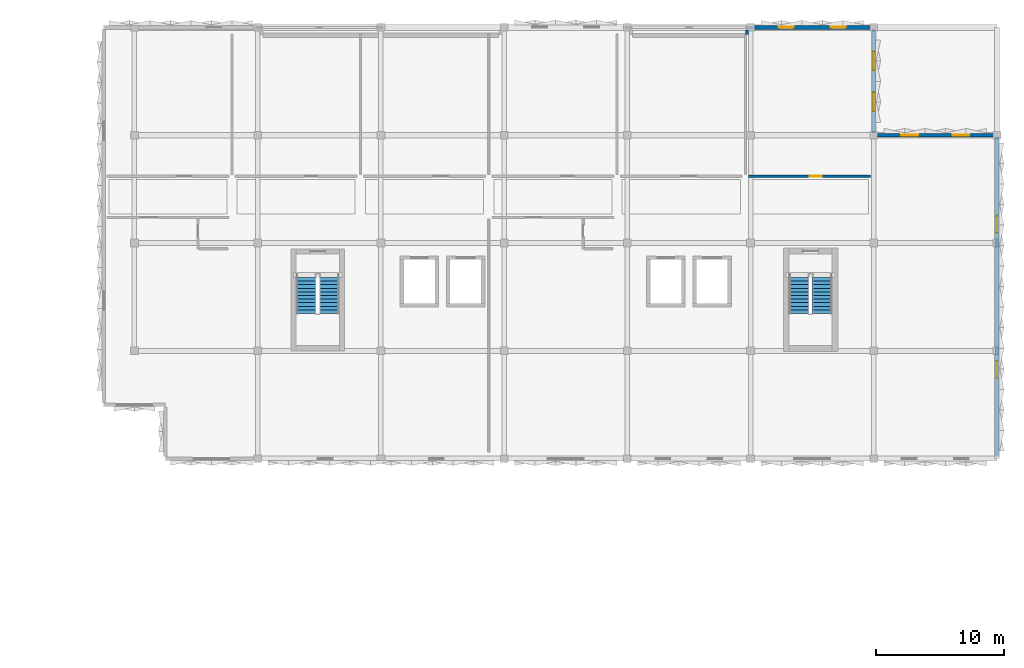
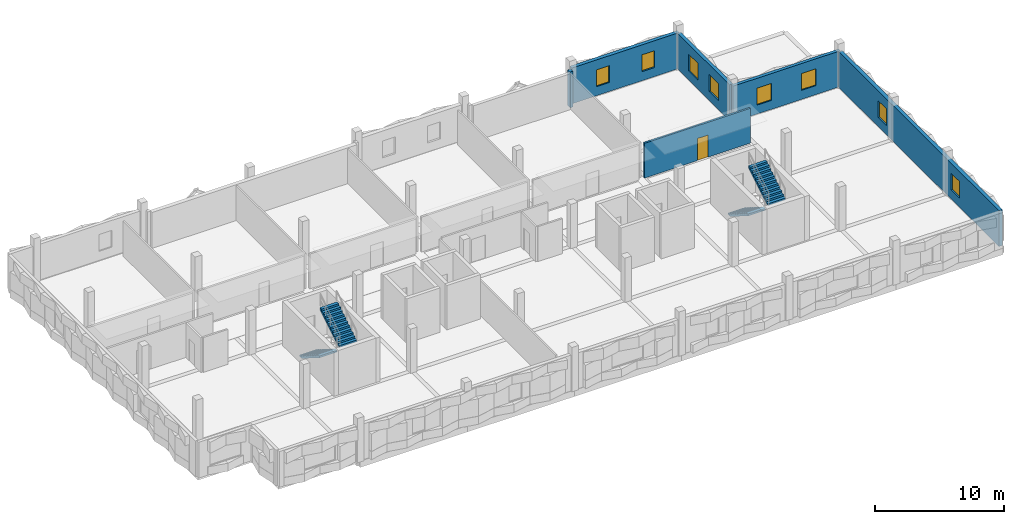
# One storey, part 11 of 18: 8 windows, 6 walls, 4 stair flights, 1 door, 9 openings, 2 elements without a shape of their own.
"""IFC4 building model written with IfcOpenShell, lengths in metres."""

from ifc_helpers import new_model, si_unit, direction, frame, frame_2d, origin, place, context, subcontext, project, spatial, polyline, rectangle, outline, extrude, material, layer, layer_set, type_object, element, fill, aggregate, save


model = new_model("IFC4")

# Units and contexts
model_context = context("Model", 3, precision=1e-05, world=origin(), true_north=direction((0.0, 1.0)))
body_context = subcontext(model_context, "Body", "Model", "MODEL_VIEW")
ifc_project = project(units=[si_unit("LENGTHUNIT", "METRE"), si_unit("AREAUNIT", "SQUARE_METRE"), si_unit("VOLUMEUNIT", "CUBIC_METRE"), si_unit("PLANEANGLEUNIT", "RADIAN"), si_unit("MASSUNIT", "GRAM", prefix="KILO")], contexts=[model_context])

# Site, building, storey
site_placement = place(None, origin())
site = spatial("IfcSite", under=ifc_project, at=site_placement, CompositionType="ELEMENT")
building_placement = place(site_placement, origin())
building = spatial("IfcBuilding", under=site, at=building_placement, Name="Oolite Switchyard Hospital", CompositionType="ELEMENT")
storey_placement = place(building_placement, frame((0.0, 0.0, 26.199951171875)))
storey = spatial("IfcBuildingStorey", under=building, at=storey_placement, Name="L06", CompositionType="ELEMENT", Elevation=26.199951171875)

# Wall
ifc_material_1 = material(Name="Precast oolitic limestone architectural concrete C40/50", Category="masonry")
ifc_layer_1 = layer(ifc_material_1, 0.260009765625)
ifc_layer_set_1 = layer_set([ifc_layer_1], Name="WAL-EXT-260")
wall_type_1 = type_object("IfcWallType", Name="WAL-EXT-260", PredefinedType="SOLIDWALL", material=ifc_layer_set_1)
wall_1_placement = place(storey_placement, frame((191.719970703125, 134.199951171875, 0.0), z_axis=(0.0, 0.0, 1.0), x_axis=(0.0, -1.0, 0.0)))
element("IfcWall", 1, at=wall_1_placement, inside=storey, type_object=wall_type_1, Name="L06 Brace Alcove Cheek Wall 366", PredefinedType="SOLIDWALL", context=body_context, shape_type="SweptSolid", body=[
    extrude(rectangle(XDim=0.35986328125, YDim=0.260009765625, at=frame_2d((0.179931640625, 0.0))), origin(), (0.0, 0.0, 1.0), 3.39013671875),
])

# Wall, openings, windows
ifc_layer_2 = layer(ifc_material_1, 0.280029296875)
ifc_layer_set_2 = layer_set([ifc_layer_2], Name="WAL-EXT-280")
wall_type_2 = type_object("IfcWallType", Name="WAL-EXT-280", PredefinedType="SOLIDWALL", material=ifc_layer_set_2)
wall_2_placement = place(storey_placement, frame((201.60009765625, 126.0, 0.0), z_axis=(0.0, 0.0, 1.0), x_axis=(1.0, 0.0, 0.0)))
wall_2 = element("IfcWall", 2, at=wall_2_placement, inside=storey, type_object=wall_type_2, Name="L06 Exterior Spandrel Wall 359", PredefinedType="SOLIDWALL", context=body_context, shape_type="SweptSolid", body=[
    extrude(rectangle(XDim=9.599853515625, YDim=0.280029296875, at=frame_2d((4.7998046875, 0.0))), origin(), (0.0, 0.0, 1.0), 3.39013671875),
])
opening_1_placement = place(wall_2_placement, frame((2.157958984375, 0.0, 0.85009765625)))
opening_1 = element("IfcOpeningElement", 3, at=opening_1_placement, cuts=wall_2, Name="Opening WN-0233", PredefinedType="OPENING", context=body_context, shape_type="SweptSolid", body=[
    extrude(rectangle(XDim=1.300048828125, YDim=1.60009765625, at=frame_2d((0.64990234375, 0.800048828125))), frame((0.0, 0.14990234375, 0.0), z_axis=(0.0, -1.0, 0.0), x_axis=(1.0, 0.0, 0.0)), (0.0, 0.0, 1.0), 0.300048828125),
])
opening_2_placement = place(wall_2_placement, frame((6.14208984375, 0.0, 0.85009765625)))
opening_2 = element("IfcOpeningElement", 4, at=opening_2_placement, cuts=wall_2, Name="Opening WN-0234", PredefinedType="OPENING", context=body_context, shape_type="SweptSolid", body=[
    extrude(rectangle(XDim=1.300048828125, YDim=1.60009765625, at=frame_2d((0.64990234375, 0.800048828125))), frame((0.0, 0.14990234375, 0.0), z_axis=(0.0, -1.0, 0.0), x_axis=(1.0, 0.0, 0.0)), (0.0, 0.0, 1.0), 0.300048828125),
])
ifc_material_2 = material(Name="Thermally broken aluminum frame with laminated impact glazing", Category="aluminium")
window_type_1 = type_object("IfcWindowType", Name="WIN-IMP-130X160", PartitioningType="SINGLE_PANEL", PredefinedType="WINDOW", material=ifc_material_2)
window_1_placement = place(opening_1_placement, origin())
window_1 = element("IfcWindow", 5, at=window_1_placement, inside=storey, type_object=window_type_1, Name="L06 Hurricane Impact Window WN-0233", OverallHeight=1.60009765625, OverallWidth=1.300048828125, PartitioningType="SINGLE_PANEL", PredefinedType="WINDOW", context=body_context, shape_type="SweptSolid", body=[
    extrude(rectangle(XDim=1.300048828125, YDim=1.60009765625, at=frame_2d((0.64990234375, 0.800048828125))), frame((0.0, 0.030029296875, 0.0), z_axis=(0.0, -1.0, 0.0), x_axis=(1.0, 0.0, 0.0)), (0.0, 0.0, 1.0), 0.06005859375),
])
fill(opening_1, window_1)
window_2_placement = place(opening_2_placement, origin())
window_2 = element("IfcWindow", 6, at=window_2_placement, inside=storey, type_object=window_type_1, Name="L06 Hurricane Impact Window WN-0234", OverallHeight=1.60009765625, OverallWidth=1.300048828125, PartitioningType="SINGLE_PANEL", PredefinedType="WINDOW", context=body_context, shape_type="SweptSolid", body=[
    extrude(rectangle(XDim=1.300048828125, YDim=1.60009765625, at=frame_2d((0.64990234375, 0.800048828125))), frame((0.0, 0.030029296875, 0.0), z_axis=(0.0, -1.0, 0.0), x_axis=(1.0, 0.0, 0.0)), (0.0, 0.0, 1.0), 0.06005859375),
])
fill(opening_2, window_2)

ifc_layer_3 = layer(ifc_material_1, 0.300048828125)
ifc_layer_set_3 = layer_set([ifc_layer_3], Name="WAL-EXT-300")
wall_type_3 = type_object("IfcWallType", Name="WAL-EXT-300", PredefinedType="SOLIDWALL", material=ifc_layer_set_3)
wall_3_placement = place(storey_placement, frame((201.60009765625, 134.239990234375, 0.0), z_axis=(0.0, 0.0, 1.0), x_axis=(0.0, -1.0, 0.0)))
wall_3 = element("IfcWall", 7, at=wall_3_placement, inside=storey, type_object=wall_type_3, Name="L06 Exterior Spandrel Wall 381", PredefinedType="SOLIDWALL", context=body_context, shape_type="SweptSolid", body=[
    extrude(rectangle(XDim=8.080078125, YDim=0.300048828125, at=frame_2d((4.0400390625, 0.0))), origin(), (0.0, 0.0, 1.0), 3.39013671875),
])
opening_3_placement = place(wall_3_placement, frame((1.72412109375, 0.0, 0.85009765625)))
opening_3 = element("IfcOpeningElement", 8, at=opening_3_placement, cuts=wall_3, Name="Opening WN-0244", PredefinedType="OPENING", context=body_context, shape_type="SweptSolid", body=[
    extrude(rectangle(XDim=1.449951171875, YDim=1.60009765625, at=frame_2d((0.72509765625, 0.800048828125))), frame((0.0, 0.16015625, 0.0), z_axis=(0.0, -1.0, 0.0), x_axis=(1.0, 0.0, 0.0)), (0.0, 0.0, 1.0), 0.320068359375),
])
opening_4_placement = place(wall_3_placement, frame((4.906005859375, 0.0, 0.85009765625)))
opening_4 = element("IfcOpeningElement", 9, at=opening_4_placement, cuts=wall_3, Name="Opening WN-0245", PredefinedType="OPENING", context=body_context, shape_type="SweptSolid", body=[
    extrude(rectangle(XDim=1.449951171875, YDim=1.60009765625, at=frame_2d((0.72509765625, 0.800048828125))), frame((0.0, 0.16015625, 0.0), z_axis=(0.0, -1.0, 0.0), x_axis=(1.0, 0.0, 0.0)), (0.0, 0.0, 1.0), 0.320068359375),
])
window_type_2 = type_object("IfcWindowType", Name="WIN-IMP-145X160", PartitioningType="SINGLE_PANEL", PredefinedType="WINDOW", material=ifc_material_2)
window_3_placement = place(opening_3_placement, origin())
window_3 = element("IfcWindow", 10, at=window_3_placement, inside=storey, type_object=window_type_2, Name="L06 Hurricane Impact Window WN-0244", OverallHeight=1.60009765625, OverallWidth=1.449951171875, PartitioningType="SINGLE_PANEL", PredefinedType="WINDOW", context=body_context, shape_type="SweptSolid", body=[
    extrude(rectangle(XDim=1.449951171875, YDim=1.60009765625, at=frame_2d((0.72509765625, 0.800048828125))), frame((0.0, 0.030029296875, 0.0), z_axis=(0.0, -1.0, 0.0), x_axis=(1.0, 0.0, 0.0)), (0.0, 0.0, 1.0), 0.06005859375),
])
fill(opening_3, window_3)
window_4_placement = place(opening_4_placement, origin())
window_4 = element("IfcWindow", 11, at=window_4_placement, inside=storey, type_object=window_type_2, Name="L06 Hurricane Impact Window WN-0245", OverallHeight=1.60009765625, OverallWidth=1.449951171875, PartitioningType="SINGLE_PANEL", PredefinedType="WINDOW", context=body_context, shape_type="SweptSolid", body=[
    extrude(rectangle(XDim=1.449951171875, YDim=1.60009765625, at=frame_2d((0.72509765625, 0.800048828125))), frame((0.0, 0.030029296875, 0.0), z_axis=(0.0, -1.0, 0.0), x_axis=(1.0, 0.0, 0.0)), (0.0, 0.0, 1.0), 0.06005859375),
])
fill(opening_4, window_4)

ifc_layer_4 = layer(ifc_material_1, 0.320068359375)
ifc_layer_set_4 = layer_set([ifc_layer_4], Name="WAL-EXT-320")
wall_type_4 = type_object("IfcWallType", Name="WAL-EXT-320", PredefinedType="SOLIDWALL", material=ifc_layer_set_4)
wall_4_placement = place(storey_placement, frame((192.0, 134.39990234375, 0.0), z_axis=(0.0, 0.0, 1.0), x_axis=(1.0, 0.0, 0.0)))
wall_4 = element("IfcWall", 12, at=wall_4_placement, inside=storey, type_object=wall_type_4, Name="L06 Exterior Spandrel Wall 368", PredefinedType="SOLIDWALL", context=body_context, shape_type="SweptSolid", body=[
    extrude(rectangle(XDim=9.60009765625, YDim=0.320068359375, at=frame_2d((4.800048828125, 0.0))), origin(), (0.0, 0.0, 1.0), 3.39013671875),
])
opening_5_placement = place(wall_4_placement, frame((2.197021484375, 0.0, 0.85009765625)))
opening_5 = element("IfcOpeningElement", 13, at=opening_5_placement, cuts=wall_4, Name="Opening WN-0238", PredefinedType="OPENING", context=body_context, shape_type="SweptSolid", body=[
    extrude(rectangle(XDim=1.14990234375, YDim=1.60009765625, at=frame_2d((0.574951171875, 0.800048828125))), frame((0.0, 0.169921875, 0.0), z_axis=(0.0, -1.0, 0.0), x_axis=(1.0, 0.0, 0.0)), (0.0, 0.0, 1.0), 0.340087890625),
])
opening_6_placement = place(wall_4_placement, frame((6.2529296875, 0.0, 0.85009765625)))
opening_6 = element("IfcOpeningElement", 14, at=opening_6_placement, cuts=wall_4, Name="Opening WN-0239", PredefinedType="OPENING", context=body_context, shape_type="SweptSolid", body=[
    extrude(rectangle(XDim=1.14990234375, YDim=1.60009765625, at=frame_2d((0.574951171875, 0.800048828125))), frame((0.0, 0.169921875, 0.0), z_axis=(0.0, -1.0, 0.0), x_axis=(1.0, 0.0, 0.0)), (0.0, 0.0, 1.0), 0.340087890625),
])
window_type_3 = type_object("IfcWindowType", Name="WIN-IMP-115X160", PartitioningType="SINGLE_PANEL", PredefinedType="WINDOW", material=ifc_material_2)
window_5_placement = place(opening_5_placement, origin())
window_5 = element("IfcWindow", 15, at=window_5_placement, inside=storey, type_object=window_type_3, Name="L06 Hurricane Impact Window WN-0238", OverallHeight=1.60009765625, OverallWidth=1.14990234375, PartitioningType="SINGLE_PANEL", PredefinedType="WINDOW", context=body_context, shape_type="SweptSolid", body=[
    extrude(rectangle(XDim=1.14990234375, YDim=1.60009765625, at=frame_2d((0.574951171875, 0.800048828125))), frame((0.0, 0.030029296875, 0.0), z_axis=(0.0, -1.0, 0.0), x_axis=(1.0, 0.0, 0.0)), (0.0, 0.0, 1.0), 0.06005859375),
])
fill(opening_5, window_5)
window_6_placement = place(opening_6_placement, origin())
window_6 = element("IfcWindow", 16, at=window_6_placement, inside=storey, type_object=window_type_3, Name="L06 Hurricane Impact Window WN-0239", OverallHeight=1.60009765625, OverallWidth=1.14990234375, PartitioningType="SINGLE_PANEL", PredefinedType="WINDOW", context=body_context, shape_type="SweptSolid", body=[
    extrude(rectangle(XDim=1.14990234375, YDim=1.60009765625, at=frame_2d((0.574951171875, 0.800048828125))), frame((0.0, 0.030029296875, 0.0), z_axis=(0.0, -1.0, 0.0), x_axis=(1.0, 0.0, 0.0)), (0.0, 0.0, 1.0), 0.06005859375),
])
fill(opening_6, window_6)

wall_5_placement = place(storey_placement, frame((211.199951171875, 125.840087890625, 0.0), z_axis=(0.0, 0.0, 1.0), x_axis=(0.0, -1.0, 0.0)))
wall_5 = element("IfcWall", 17, at=wall_5_placement, inside=storey, type_object=wall_type_4, Name="L06 Exterior Spandrel Wall 382", PredefinedType="SOLIDWALL", context=body_context, shape_type="SweptSolid", body=[
    extrude(rectangle(XDim=24.880126953125, YDim=0.320068359375, at=frame_2d((12.43994140625, 0.0))), origin(), (0.0, 0.0, 1.0), 3.39013671875),
])
opening_7_placement = place(wall_5_placement, frame((6.131103515625, 0.0, 0.85009765625)))
opening_7 = element("IfcOpeningElement", 18, at=opening_7_placement, cuts=wall_5, Name="Opening WN-0246", PredefinedType="OPENING", context=body_context, shape_type="SweptSolid", body=[
    extrude(rectangle(XDim=1.300048828125, YDim=1.60009765625, at=frame_2d((0.64990234375, 0.800048828125))), frame((0.0, 0.169921875, 0.0), z_axis=(0.0, -1.0, 0.0), x_axis=(1.0, 0.0, 0.0)), (0.0, 0.0, 1.0), 0.340087890625),
])
opening_8_placement = place(wall_5_placement, frame((17.448974609375, 0.0, 0.85009765625)))
opening_8 = element("IfcOpeningElement", 19, at=opening_8_placement, cuts=wall_5, Name="Opening WN-0247", PredefinedType="OPENING", context=body_context, shape_type="SweptSolid", body=[
    extrude(rectangle(XDim=1.300048828125, YDim=1.60009765625, at=frame_2d((0.64990234375, 0.800048828125))), frame((0.0, 0.169921875, 0.0), z_axis=(0.0, -1.0, 0.0), x_axis=(1.0, 0.0, 0.0)), (0.0, 0.0, 1.0), 0.340087890625),
])
window_7_placement = place(opening_7_placement, origin())
window_7 = element("IfcWindow", 20, at=window_7_placement, inside=storey, type_object=window_type_1, Name="L06 Hurricane Impact Window WN-0246", OverallHeight=1.60009765625, OverallWidth=1.300048828125, PartitioningType="SINGLE_PANEL", PredefinedType="WINDOW", context=body_context, shape_type="SweptSolid", body=[
    extrude(rectangle(XDim=1.300048828125, YDim=1.60009765625, at=frame_2d((0.64990234375, 0.800048828125))), frame((0.0, 0.030029296875, 0.0), z_axis=(0.0, -1.0, 0.0), x_axis=(1.0, 0.0, 0.0)), (0.0, 0.0, 1.0), 0.06005859375),
])
fill(opening_7, window_7)
window_8_placement = place(opening_8_placement, origin())
window_8 = element("IfcWindow", 21, at=window_8_placement, inside=storey, type_object=window_type_1, Name="L06 Hurricane Impact Window WN-0247", OverallHeight=1.60009765625, OverallWidth=1.300048828125, PartitioningType="SINGLE_PANEL", PredefinedType="WINDOW", context=body_context, shape_type="SweptSolid", body=[
    extrude(rectangle(XDim=1.300048828125, YDim=1.60009765625, at=frame_2d((0.64990234375, 0.800048828125))), frame((0.0, 0.030029296875, 0.0), z_axis=(0.0, -1.0, 0.0), x_axis=(1.0, 0.0, 0.0)), (0.0, 0.0, 1.0), 0.06005859375),
])
fill(opening_8, window_8)

# Wall, opening, door
ifc_material_3 = material(Name="Moisture-resistant gypsum board on steel studs", Category="steel")
ifc_layer_5 = layer(ifc_material_3, 0.1650390625)
ifc_layer_set_5 = layer_set([ifc_layer_5], Name="WAL-PART-165")
wall_type_5 = type_object("IfcWallType", Name="WAL-PART-165", PredefinedType="PARTITIONING", material=ifc_layer_set_5)
wall_6_placement = place(storey_placement, frame((191.85009765625, 122.800048828125, 0.0), z_axis=(0.0, 0.0, 1.0), x_axis=(1.0, 0.0, 0.0)))
wall_6 = element("IfcWall", 22, at=wall_6_placement, inside=storey, type_object=wall_type_5, Name="L06 Interior Partition 891", PredefinedType="PARTITIONING", context=body_context, shape_type="SweptSolid", body=[
    extrude(rectangle(XDim=9.5, YDim=0.1650390625, at=frame_2d((4.75, 0.0))), origin(), (0.0, 0.0, 1.0), 3.300048828125),
])
opening_9_placement = place(wall_6_placement, frame((4.75, 0.0, 0.0)))
opening_9 = element("IfcOpeningElement", 23, at=opening_9_placement, cuts=wall_6, Name="Opening D-0494", PredefinedType="OPENING", context=body_context, shape_type="SweptSolid", body=[
    extrude(rectangle(XDim=0.949951171875, YDim=2.10009765625, at=frame_2d((0.47509765625, 1.050048828125))), frame((0.0, 0.092529296875, 0.0), z_axis=(0.0, -1.0, 0.0), x_axis=(1.0, 0.0, 0.0)), (0.0, 0.0, 1.0), 0.18505859375),
])
ifc_material_4 = material(Name="Solid-core antimicrobial hardwood leaf in steel frame", Category="steel")
door_type = type_object("IfcDoorType", Name="DR-BATH-095X210", OperationType="NOTDEFINED", PredefinedType="DOOR", material=ifc_material_4)
door_placement = place(opening_9_placement, origin())
door = element("IfcDoor", 24, at=door_placement, inside=storey, type_object=door_type, Name="L06 Interior Door D-0494", OperationType="SINGLE_SWING_LEFT", OverallHeight=2.10009765625, OverallWidth=0.949951171875, PredefinedType="DOOR", context=body_context, shape_type="SweptSolid", body=[
    extrude(rectangle(XDim=0.949951171875, YDim=2.10009765625, at=frame_2d((0.47509765625, 1.050048828125))), frame((0.0, 0.02490234375, 0.0), z_axis=(0.0, -1.0, 0.0), x_axis=(1.0, 0.0, 0.0)), (0.0, 0.0, 1.0), 0.050048828125),
])
fill(opening_9, door)

# Stair, stair flights
ifc_material_5 = material(Name="Concrete C40/50", Category="concrete")
stair_type = type_object("IfcStairType", Name="STR-DL-156-R24", PredefinedType="HALF_TURN_STAIR", material=ifc_material_5)
stair_1_placement = place(storey_placement, origin())
stair_1 = element("IfcStair", 25, at=stair_1_placement, inside=storey, type_object=stair_type, Name="L06 Exit Stair ST-03", PredefinedType="HALF_TURN_STAIR")
stair_flight_type = type_object("IfcStairFlightType", Name="FLT-DL-156-R12", PredefinedType="STRAIGHT", material=ifc_material_5)
stair_flight_1_placement = place(storey_placement, frame((157.3798828125, 115.18994140625, 0.0), z_axis=(0.0, 0.0, 1.0), x_axis=(0.0, -1.0, 0.0)))
stair_flight_1 = element("IfcStairFlight", 26, at=stair_flight_1_placement, type_object=stair_flight_type, Name="ST-03 flight 1", NumberOfRisers=12, NumberOfTreads=11, PredefinedType="STRAIGHT", RiserHeight=0.175, TreadLength=0.28, context=body_context, shape_type="SweptSolid", body=[
    extrude(outline(polyline([(0.0, 0.0), (0.0, 0.175048828125), (0.280029296875, 0.175048828125), (0.280029296875, 0.35009765625), (0.56005859375, 0.35009765625), (0.56005859375, 0.52490234375), (0.840087890625, 0.52490234375), (0.840087890625, 0.699951171875), (1.1201171875, 0.699951171875), (1.1201171875, 0.875), (1.39990234375, 0.875), (1.39990234375, 1.050048828125), (1.679931640625, 1.050048828125), (1.679931640625, 1.22509765625), (1.9599609375, 1.22509765625), (1.9599609375, 1.39990234375), (2.239990234375, 1.39990234375), (2.239990234375, 1.574951171875), (2.52001953125, 1.574951171875), (2.52001953125, 1.75), (2.800048828125, 1.75), (2.800048828125, 1.925048828125), (3.080078125, 1.925048828125), (3.080078125, 2.10009765625), (3.080078125, 1.748291015625), (0.28271484375, 0.0), (0.0, 0.0)])), frame((0.0, 0.780029296875, 0.0), z_axis=(0.0, -1.0, 0.0), x_axis=(1.0, 0.0, 0.0)), (0.0, 0.0, 1.0), 1.56005859375),
])
stair_flight_2_placement = place(storey_placement, frame((159.179931640625, 112.110107421875, 2.10009765625), z_axis=(0.0, 0.0, 1.0), x_axis=(0.0, 1.0, 0.0)))
stair_flight_2 = element("IfcStairFlight", 27, at=stair_flight_2_placement, type_object=stair_flight_type, Name="ST-03 flight 2", NumberOfRisers=12, NumberOfTreads=11, PredefinedType="STRAIGHT", RiserHeight=0.175, TreadLength=0.28, context=body_context, shape_type="SweptSolid", body=[
    extrude(outline(polyline([(0.0, 0.0), (0.0, 0.175048828125), (0.280029296875, 0.175048828125), (0.280029296875, 0.35009765625), (0.56005859375, 0.35009765625), (0.56005859375, 0.52490234375), (0.840087890625, 0.52490234375), (0.840087890625, 0.699951171875), (1.1201171875, 0.699951171875), (1.1201171875, 0.875), (1.39990234375, 0.875), (1.39990234375, 1.050048828125), (1.679931640625, 1.050048828125), (1.679931640625, 1.22509765625), (1.9599609375, 1.22509765625), (1.9599609375, 1.39990234375), (2.239990234375, 1.39990234375), (2.239990234375, 1.574951171875), (2.52001953125, 1.574951171875), (2.52001953125, 1.75), (2.800048828125, 1.75), (2.800048828125, 1.925048828125), (3.080078125, 1.925048828125), (3.080078125, 2.10009765625), (3.080078125, 1.748291015625), (0.28271484375, 0.0), (0.0, 0.0)])), frame((0.0, 0.780029296875, 0.0), z_axis=(0.0, -1.0, 0.0), x_axis=(1.0, 0.0, 0.0)), (0.0, 0.0, 1.0), 1.56005859375),
])
aggregate(stair_1, [stair_flight_1, stair_flight_2])

stair_2_placement = place(storey_placement, origin())
stair_2 = element("IfcStair", 28, at=stair_2_placement, inside=storey, type_object=stair_type, Name="L06 Exit Stair ST-04", PredefinedType="HALF_TURN_STAIR")
stair_flight_3_placement = place(storey_placement, frame((195.780029296875, 115.18994140625, 0.0), z_axis=(0.0, 0.0, 1.0), x_axis=(0.0, -1.0, 0.0)))
stair_flight_3 = element("IfcStairFlight", 29, at=stair_flight_3_placement, type_object=stair_flight_type, Name="ST-04 flight 1", NumberOfRisers=12, NumberOfTreads=11, PredefinedType="STRAIGHT", RiserHeight=0.175, TreadLength=0.28, context=body_context, shape_type="SweptSolid", body=[
    extrude(outline(polyline([(0.0, 0.0), (0.0, 0.175048828125), (0.280029296875, 0.175048828125), (0.280029296875, 0.35009765625), (0.56005859375, 0.35009765625), (0.56005859375, 0.52490234375), (0.840087890625, 0.52490234375), (0.840087890625, 0.699951171875), (1.1201171875, 0.699951171875), (1.1201171875, 0.875), (1.39990234375, 0.875), (1.39990234375, 1.050048828125), (1.679931640625, 1.050048828125), (1.679931640625, 1.22509765625), (1.9599609375, 1.22509765625), (1.9599609375, 1.39990234375), (2.239990234375, 1.39990234375), (2.239990234375, 1.574951171875), (2.52001953125, 1.574951171875), (2.52001953125, 1.75), (2.800048828125, 1.75), (2.800048828125, 1.925048828125), (3.080078125, 1.925048828125), (3.080078125, 2.10009765625), (3.080078125, 1.748291015625), (0.28271484375, 0.0), (0.0, 0.0)])), frame((0.0, 0.780029296875, 0.0), z_axis=(0.0, -1.0, 0.0), x_axis=(1.0, 0.0, 0.0)), (0.0, 0.0, 1.0), 1.56005859375),
])
stair_flight_4_placement = place(storey_placement, frame((197.580078125, 112.110107421875, 2.10009765625), z_axis=(0.0, 0.0, 1.0), x_axis=(0.0, 1.0, 0.0)))
stair_flight_4 = element("IfcStairFlight", 30, at=stair_flight_4_placement, type_object=stair_flight_type, Name="ST-04 flight 2", NumberOfRisers=12, NumberOfTreads=11, PredefinedType="STRAIGHT", RiserHeight=0.175, TreadLength=0.28, context=body_context, shape_type="SweptSolid", body=[
    extrude(outline(polyline([(0.0, 0.0), (0.0, 0.175048828125), (0.280029296875, 0.175048828125), (0.280029296875, 0.35009765625), (0.56005859375, 0.35009765625), (0.56005859375, 0.52490234375), (0.840087890625, 0.52490234375), (0.840087890625, 0.699951171875), (1.1201171875, 0.699951171875), (1.1201171875, 0.875), (1.39990234375, 0.875), (1.39990234375, 1.050048828125), (1.679931640625, 1.050048828125), (1.679931640625, 1.22509765625), (1.9599609375, 1.22509765625), (1.9599609375, 1.39990234375), (2.239990234375, 1.39990234375), (2.239990234375, 1.574951171875), (2.52001953125, 1.574951171875), (2.52001953125, 1.75), (2.800048828125, 1.75), (2.800048828125, 1.925048828125), (3.080078125, 1.925048828125), (3.080078125, 2.10009765625), (3.080078125, 1.748291015625), (0.28271484375, 0.0), (0.0, 0.0)])), frame((0.0, 0.780029296875, 0.0), z_axis=(0.0, -1.0, 0.0), x_axis=(1.0, 0.0, 0.0)), (0.0, 0.0, 1.0), 1.56005859375),
])
aggregate(stair_2, [stair_flight_3, stair_flight_4])

save(model, "model.ifc")
